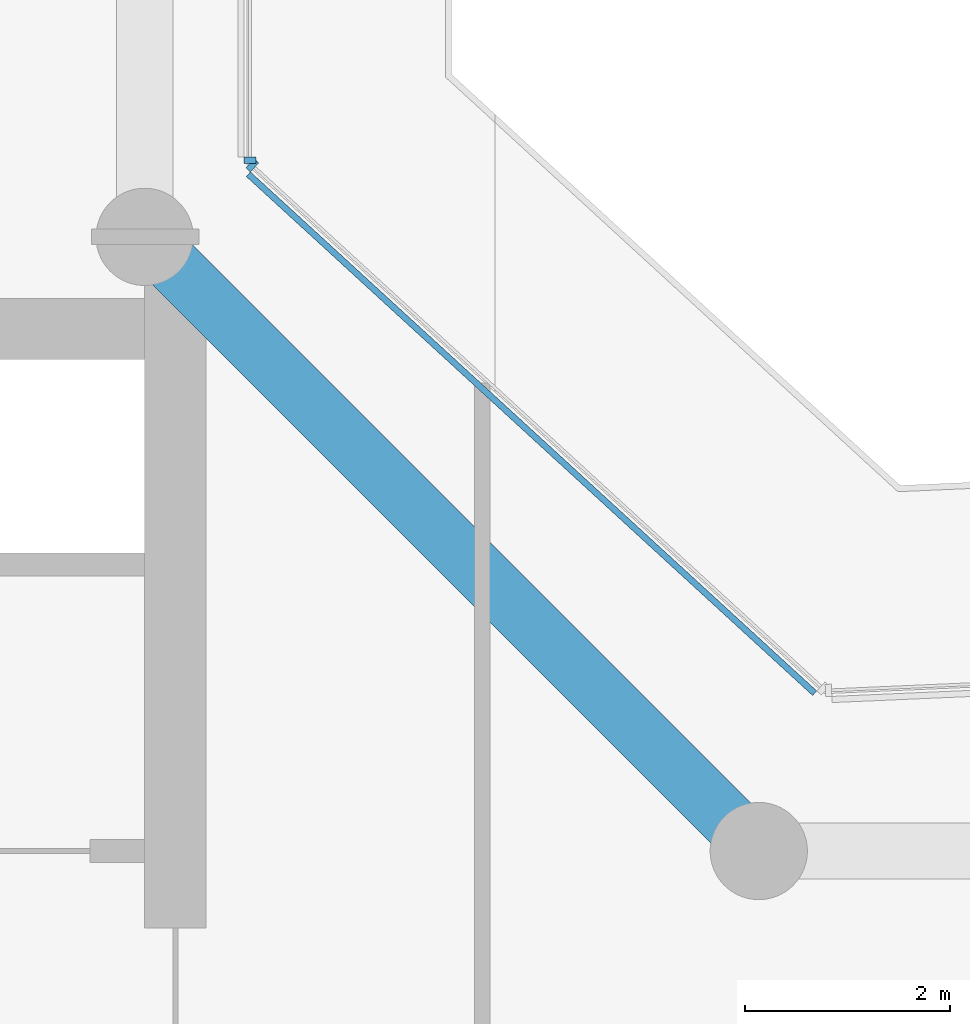
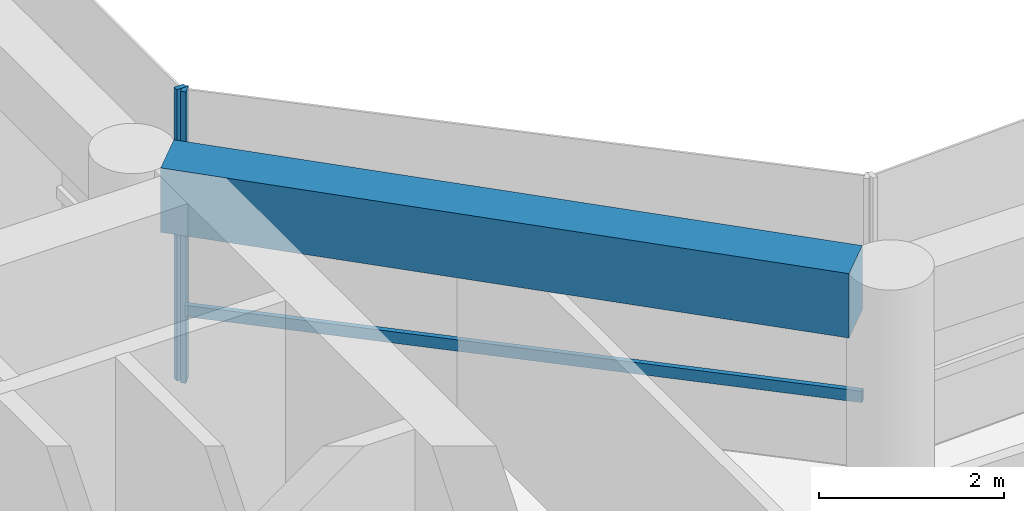
# One storey, part 6 of 21: 3 members, 1 beam, 2 elements without a shape of their own.
"""IFC4 building model written with IfcOpenShell, lengths in metres."""

from ifc_helpers import new_model, si_unit, direction, frame, origin, origin_2d, place, context, subcontext, project, spatial, rectangle, extrude, material, layer, layer_set, material_profile, profile_set, type_object, element, aggregate, save


model = new_model("IFC4")

# Units and contexts
model_context = context("Model", 3, precision=1e-05, world=origin(), true_north=direction((0.0, 1.0)))
body_context = subcontext(model_context, "Body", "Model", "MODEL_VIEW")
ifc_project = project(units=[si_unit("LENGTHUNIT", "METRE"), si_unit("AREAUNIT", "SQUARE_METRE"), si_unit("VOLUMEUNIT", "CUBIC_METRE"), si_unit("PLANEANGLEUNIT", "RADIAN"), si_unit("MASSUNIT", "GRAM", prefix="KILO")], contexts=[model_context])

# Site, building, storey
site_placement = place(None, origin())
site = spatial("IfcSite", under=ifc_project, at=site_placement, CompositionType="ELEMENT")
building_placement = place(site_placement, origin())
building = spatial("IfcBuilding", under=site, at=building_placement, Name="Welwitschia Terrace Campus", CompositionType="ELEMENT")
storey_placement = place(building_placement, frame((0.0, 0.0, 180.199951171875)))
storey = spatial("IfcBuildingStorey", under=building, at=storey_placement, Name="L40", CompositionType="ELEMENT", Elevation=180.199951171875)

# Curtain wall, member
ifc_material_1 = material(Name="Bronze anodised aluminium", Category="aluminium")
ifc_layer = layer(ifc_material_1, 0.1201171875)
ifc_layer_set = layer_set([ifc_layer], Name="Bronze anodised aluminium")
curtain_wall_type = type_object("IfcCurtainWallType", Name="Curtain wall CW2 tower 6000", PredefinedType="NOTDEFINED", material=ifc_layer_set)
curtain_wall_1_placement = place(storey_placement, origin())
curtain_wall_1 = element("IfcCurtainWall", 1, at=curtain_wall_1_placement, inside=storey, type_object=curtain_wall_type, Name="CW L40.6.0", PredefinedType="NOTDEFINED")
ifc_material_2 = material(Name="Bronze anodised aluminium", Category="aluminium")
ifc_material_profile_1 = material_profile(ifc_material_2, rectangle(XDim=0.1201171875, YDim=0.06005859375, at=origin_2d()))
ifc_profile_set_1 = profile_set([ifc_material_profile_1], Name="Bronze anodised aluminium")
member_type_1 = type_object("IfcMemberType", Name="Mullion 60x120", PredefinedType="MULLION", material=ifc_profile_set_1)
member_1_placement = place(storey_placement, frame((25.052001953125, 26.69873046875, 0.0), z_axis=(0.0, 0.0, 1.0), x_axis=(-0.675590207616, -0.73727733681, 0.0)))
member_1 = element("IfcMember", 2, at=member_1_placement, type_object=member_type_1, Name="Mullion L40.6.0.1", PredefinedType="MULLION", context=body_context, shape_type="SweptSolid", body=[
    extrude(rectangle(XDim=0.1201171875, YDim=0.06005859375, at=origin_2d()), origin(), (0.0, 0.0, 1.0), 3.85009765625),
])

curtain_wall_2_placement = place(storey_placement, origin())
curtain_wall_2 = element("IfcCurtainWall", 3, at=curtain_wall_2_placement, inside=storey, type_object=curtain_wall_type, Name="CW L40.7.0", PredefinedType="NOTDEFINED")
member_2_placement = place(storey_placement, frame((25.030029296875, 26.7490234375, 0.0), z_axis=(0.0, 0.0, 1.0), x_axis=(-1.0, 0.0, 0.0)))
member_2 = element("IfcMember", 4, at=member_2_placement, type_object=member_type_1, Name="Mullion L40.7.0.0", PredefinedType="MULLION", context=body_context, shape_type="SweptSolid", body=[
    extrude(rectangle(XDim=0.1201171875, YDim=0.06005859375, at=origin_2d()), origin(), (0.0, 0.0, 1.0), 3.85009765625),
])
aggregate(curtain_wall_2, [member_2])

# Beam
ifc_material_3 = material(Name="Concrete C50/60", Category="concrete")
ifc_material_profile_2 = material_profile(ifc_material_3, rectangle(XDim=0.550048828125, YDim=0.85009765625, at=origin_2d()))
ifc_profile_set_2 = profile_set([ifc_material_profile_2], Name="Concrete C50/60")
beam_type = type_object("IfcBeamType", Name="Ring spandrel 550x850", PredefinedType="SPANDREL", material=ifc_profile_set_2)
beam_placement = place(storey_placement, frame((29.7255859375, 20.2744140625, 3.425048828125), z_axis=(-0.707106781187, 0.707106781187, 0.0), x_axis=(-0.707106781187, -0.707106781187, 0.0)))
element("IfcBeam", 5, at=beam_placement, inside=storey, type_object=beam_type, Name="Spandrel SP3", PredefinedType="SPANDREL", context=body_context, shape_type="SweptSolid", body=[
    extrude(rectangle(XDim=0.550048828125, YDim=0.85009765625, at=origin_2d()), origin(), (0.0, 0.0, 1.0), 7.709228515625),
])

# Member
ifc_material_4 = material(Name="Bronze anodised aluminium", Category="aluminium")
ifc_material_profile_3 = material_profile(ifc_material_4, rectangle(XDim=0.06005859375, YDim=0.14990234375, at=origin_2d()))
ifc_profile_set_3 = profile_set([ifc_material_profile_3], Name="Bronze anodised aluminium")
member_type_2 = type_object("IfcMemberType", Name="Transom 60x150", PredefinedType="USERDEFINED", material=ifc_profile_set_3)
member_3_placement = place(storey_placement, frame((30.54638671875, 21.5419921875, 1.0), z_axis=(-0.737274313058, 0.675593507447, 0.0), x_axis=(-0.675593507447, -0.737274313058, 0.0)))
member_3 = element("IfcMember", 6, at=member_3_placement, type_object=member_type_2, Name="Transom L40.6.0", ObjectType="TRANSOM", PredefinedType="USERDEFINED", context=body_context, shape_type="SweptSolid", body=[
    extrude(rectangle(XDim=0.06005859375, YDim=0.14990234375, at=origin_2d()), origin(), (0.0, 0.0, 1.0), 7.504638671875),
])

aggregate(curtain_wall_1, [member_1, member_3])

save(model, "model.ifc")
